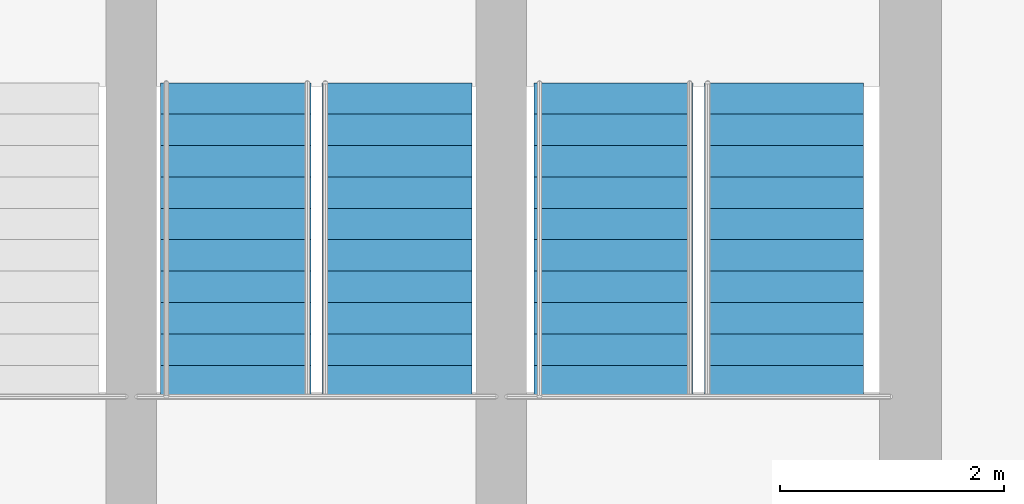
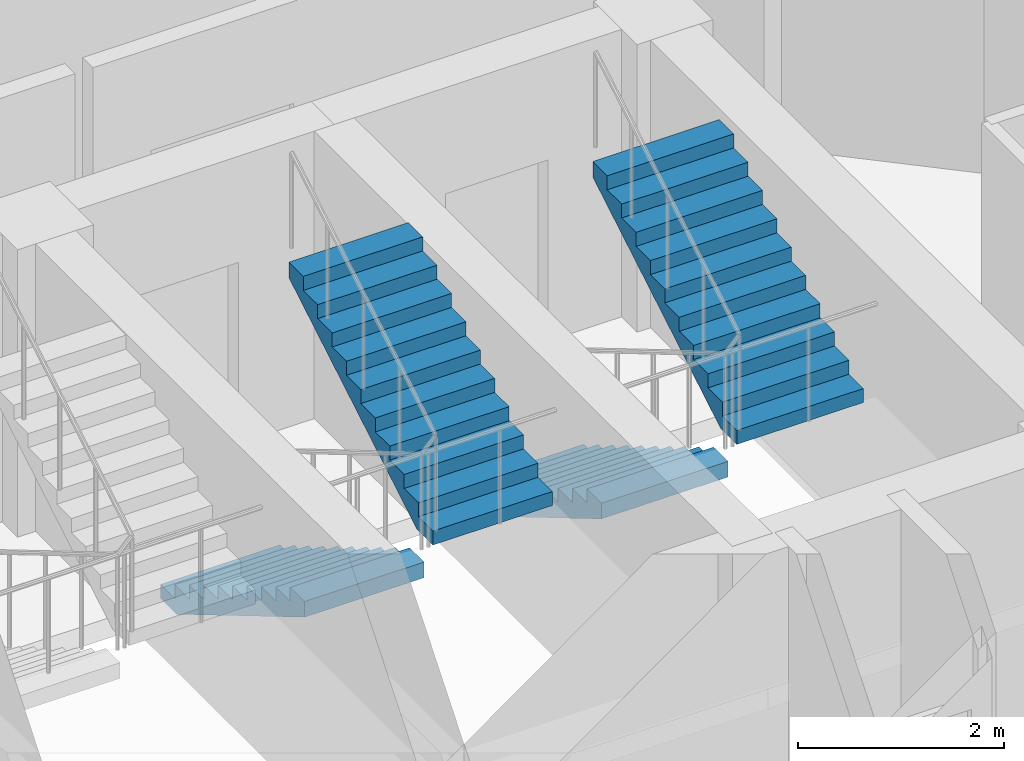
# One storey, part 26 of 28: 4 stair flights, 2 elements without a shape of their own.
"""IFC4 building model written with IfcOpenShell, lengths in metres."""

from ifc_helpers import new_model, si_unit, direction, frame, origin, place, context, subcontext, project, spatial, polyline, outline, extrude, material, type_object, element, aggregate, save


model = new_model("IFC4")

# Units and contexts
model_context = context("Model", 3, precision=1e-05, world=origin(), true_north=direction((0.0, 1.0)))
body_context = subcontext(model_context, "Body", "Model", "MODEL_VIEW")
ifc_project = project(units=[si_unit("LENGTHUNIT", "METRE"), si_unit("AREAUNIT", "SQUARE_METRE"), si_unit("VOLUMEUNIT", "CUBIC_METRE"), si_unit("PLANEANGLEUNIT", "RADIAN"), si_unit("MASSUNIT", "GRAM", prefix="KILO")], contexts=[model_context])

# Site, building, storey
site_placement = place(None, origin())
site = spatial("IfcSite", under=ifc_project, at=site_placement, CompositionType="ELEMENT")
building_placement = place(site_placement, origin())
building = spatial("IfcBuilding", under=site, at=building_placement, Name="Nuhasar Tower", CompositionType="ELEMENT")
storey_placement = place(building_placement, frame((0.0, 0.0, 222.75)))
storey = spatial("IfcBuildingStorey", under=building, at=storey_placement, Name="L54", CompositionType="ELEMENT", Elevation=222.75)

# Stair, stair flights
ifc_material = material(Name="Concrete C45/55", Category="concrete")
stair_type_1 = type_object("IfcStairType", Name="STR-ST-02-2F-22R-1659", PredefinedType="HALF_TURN_STAIR", material=ifc_material)
stair_1_placement = place(storey_placement, origin())
stair_1 = element("IfcStair", 1, at=stair_1_placement, inside=storey, type_object=stair_type_1, Name="L54 Exit Stair ST-02", PredefinedType="HALF_TURN_STAIR")
stair_flight_type_1 = type_object("IfcStairFlightType", Name="SFL-ST-02-11R-1659", PredefinedType="STRAIGHT", material=ifc_material)
stair_flight_1_placement = place(storey_placement, frame((41.64990234375, 35.284912109375, 0.0), z_axis=(0.0, 0.0, 1.0), x_axis=(0.0, -1.0, 0.0)))
stair_flight_1 = element("IfcStairFlight", 2, at=stair_flight_1_placement, type_object=stair_flight_type_1, Name="ST-02 flight 1", NumberOfRisers=11, NumberOfTreads=10, PredefinedType="STRAIGHT", RiserHeight=0.165909, TreadLength=0.28, context=body_context, shape_type="SweptSolid", body=[
    extrude(outline(polyline([(0.0, 0.0), (0.0, 0.166015625), (0.280029296875, 0.166015625), (0.280029296875, 0.331787109375), (0.56005859375, 0.331787109375), (0.56005859375, 0.497802734375), (0.840087890625, 0.497802734375), (0.840087890625, 0.66357421875), (1.1201171875, 0.66357421875), (1.1201171875, 0.82958984375), (1.39990234375, 0.82958984375), (1.39990234375, 0.995361328125), (1.679931640625, 0.995361328125), (1.679931640625, 1.161376953125), (1.9599609375, 1.161376953125), (1.9599609375, 1.327392578125), (2.239990234375, 1.327392578125), (2.239990234375, 1.4931640625), (2.52001953125, 1.4931640625), (2.52001953125, 1.6591796875), (2.800048828125, 1.6591796875), (2.800048828125, 1.824951171875), (2.800048828125, 1.47314453125), (0.313720703125, 0.0), (0.0, 0.0)])), frame((0.0, 0.7099609375, 0.0), z_axis=(0.0, -1.0, 0.0), x_axis=(1.0, 0.0, 0.0)), (0.0, 0.0, 1.0), 1.419921875),
])
stair_flight_2_placement = place(storey_placement, frame((43.169921875, 32.485107421875, 1.824951171875), z_axis=(0.0, 0.0, 1.0), x_axis=(0.0, 1.0, 0.0)))
stair_flight_2 = element("IfcStairFlight", 3, at=stair_flight_2_placement, type_object=stair_flight_type_1, Name="ST-02 flight 2", NumberOfRisers=11, NumberOfTreads=10, PredefinedType="STRAIGHT", RiserHeight=0.165909, TreadLength=0.28, context=body_context, shape_type="SweptSolid", body=[
    extrude(outline(polyline([(0.0, 0.0), (0.0, 0.166015625), (0.280029296875, 0.166015625), (0.280029296875, 0.331787109375), (0.56005859375, 0.331787109375), (0.56005859375, 0.497802734375), (0.840087890625, 0.497802734375), (0.840087890625, 0.66357421875), (1.1201171875, 0.66357421875), (1.1201171875, 0.82958984375), (1.39990234375, 0.82958984375), (1.39990234375, 0.995361328125), (1.679931640625, 0.995361328125), (1.679931640625, 1.161376953125), (1.9599609375, 1.161376953125), (1.9599609375, 1.327392578125), (2.239990234375, 1.327392578125), (2.239990234375, 1.4931640625), (2.52001953125, 1.4931640625), (2.52001953125, 1.6591796875), (2.800048828125, 1.6591796875), (2.800048828125, 1.824951171875), (2.800048828125, 1.47314453125), (0.313720703125, 0.0), (0.0, 0.0)])), frame((0.0, 0.7099609375, 0.0), z_axis=(0.0, -1.0, 0.0), x_axis=(1.0, 0.0, 0.0)), (0.0, 0.0, 1.0), 1.419921875),
])
aggregate(stair_1, [stair_flight_1, stair_flight_2])

stair_type_2 = type_object("IfcStairType", Name="STR-ST-03-2F-22R-1659", PredefinedType="HALF_TURN_STAIR", material=ifc_material)
stair_2_placement = place(storey_placement, origin())
stair_2 = element("IfcStair", 4, at=stair_2_placement, inside=storey, type_object=stair_type_2, Name="L54 Exit Stair ST-03", PredefinedType="HALF_TURN_STAIR")
stair_flight_type_2 = type_object("IfcStairFlightType", Name="SFL-ST-03-11R-1659", PredefinedType="STRAIGHT", material=ifc_material)
stair_flight_3_placement = place(storey_placement, frame((38.280029296875, 35.284912109375, 0.0), z_axis=(0.0, 0.0, 1.0), x_axis=(0.0, -1.0, 0.0)))
stair_flight_3 = element("IfcStairFlight", 5, at=stair_flight_3_placement, type_object=stair_flight_type_2, Name="ST-03 flight 1", NumberOfRisers=11, NumberOfTreads=10, PredefinedType="STRAIGHT", RiserHeight=0.165909, TreadLength=0.28, context=body_context, shape_type="SweptSolid", body=[
    extrude(outline(polyline([(0.0, 0.0), (0.0, 0.166015625), (0.280029296875, 0.166015625), (0.280029296875, 0.331787109375), (0.56005859375, 0.331787109375), (0.56005859375, 0.497802734375), (0.840087890625, 0.497802734375), (0.840087890625, 0.66357421875), (1.1201171875, 0.66357421875), (1.1201171875, 0.82958984375), (1.39990234375, 0.82958984375), (1.39990234375, 0.995361328125), (1.679931640625, 0.995361328125), (1.679931640625, 1.161376953125), (1.9599609375, 1.161376953125), (1.9599609375, 1.327392578125), (2.239990234375, 1.327392578125), (2.239990234375, 1.4931640625), (2.52001953125, 1.4931640625), (2.52001953125, 1.6591796875), (2.800048828125, 1.6591796875), (2.800048828125, 1.824951171875), (2.800048828125, 1.47314453125), (0.313720703125, 0.0), (0.0, 0.0)])), frame((0.0, 0.669921875, 0.0), z_axis=(0.0, -1.0, 0.0), x_axis=(1.0, 0.0, 0.0)), (0.0, 0.0, 1.0), 1.340087890625),
])
stair_flight_4_placement = place(storey_placement, frame((39.719970703125, 32.485107421875, 1.824951171875), z_axis=(0.0, 0.0, 1.0), x_axis=(0.0, 1.0, 0.0)))
stair_flight_4 = element("IfcStairFlight", 6, at=stair_flight_4_placement, type_object=stair_flight_type_2, Name="ST-03 flight 2", NumberOfRisers=11, NumberOfTreads=10, PredefinedType="STRAIGHT", RiserHeight=0.165909, TreadLength=0.28, context=body_context, shape_type="SweptSolid", body=[
    extrude(outline(polyline([(0.0, 0.0), (0.0, 0.166015625), (0.280029296875, 0.166015625), (0.280029296875, 0.331787109375), (0.56005859375, 0.331787109375), (0.56005859375, 0.497802734375), (0.840087890625, 0.497802734375), (0.840087890625, 0.66357421875), (1.1201171875, 0.66357421875), (1.1201171875, 0.82958984375), (1.39990234375, 0.82958984375), (1.39990234375, 0.995361328125), (1.679931640625, 0.995361328125), (1.679931640625, 1.161376953125), (1.9599609375, 1.161376953125), (1.9599609375, 1.327392578125), (2.239990234375, 1.327392578125), (2.239990234375, 1.4931640625), (2.52001953125, 1.4931640625), (2.52001953125, 1.6591796875), (2.800048828125, 1.6591796875), (2.800048828125, 1.824951171875), (2.800048828125, 1.47314453125), (0.313720703125, 0.0), (0.0, 0.0)])), frame((0.0, 0.669921875, 0.0), z_axis=(0.0, -1.0, 0.0), x_axis=(1.0, 0.0, 0.0)), (0.0, 0.0, 1.0), 1.340087890625),
])
aggregate(stair_2, [stair_flight_3, stair_flight_4])

save(model, "model.ifc")
